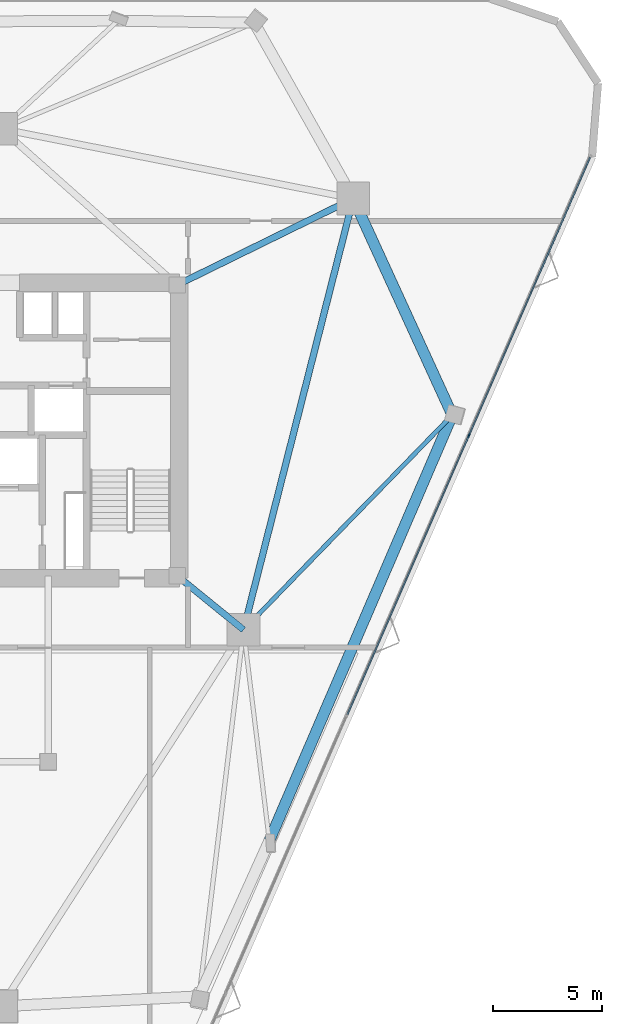
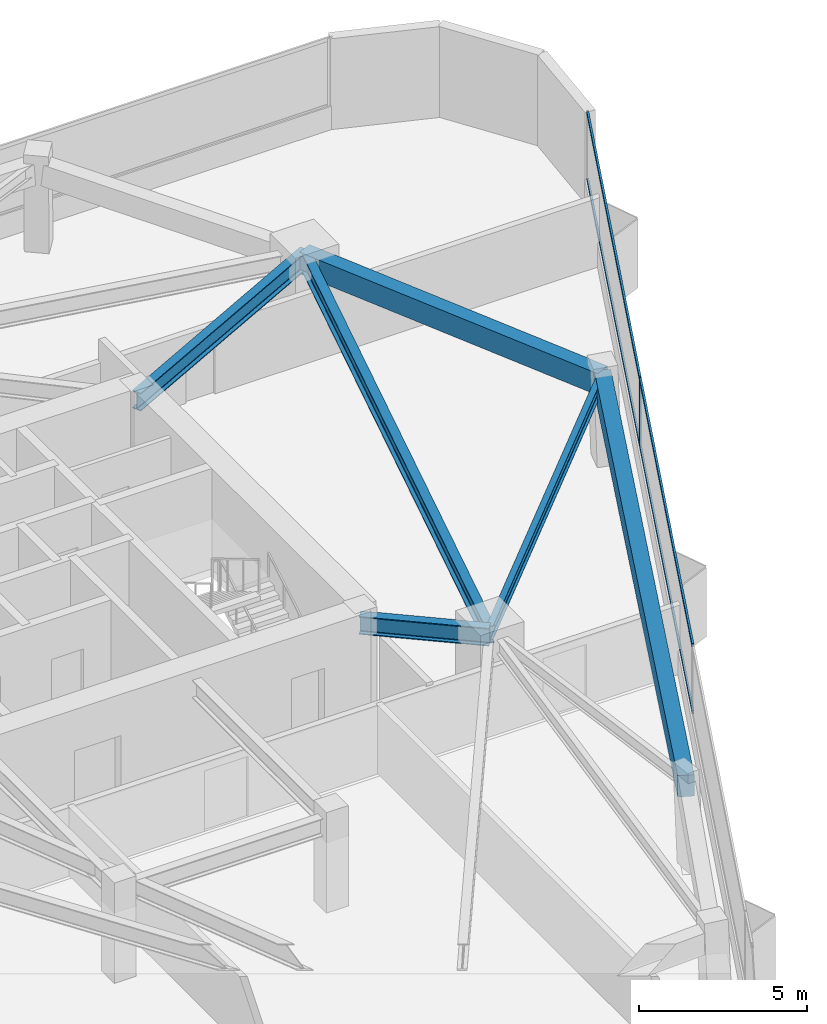
# One storey, part 7 of 13: 6 beams, 5 members, 1 element without a shape of its own.
"""IFC4 building model written with IfcOpenShell, lengths in metres."""

from ifc_helpers import new_model, si_unit, direction, frame, origin, origin_2d, place, context, subcontext, project, spatial, rectangle, i_section, extrude, material, layer, layer_set, material_profile, profile_set, type_object, element, aggregate, save


model = new_model("IFC4")

# Units and contexts
model_context = context("Model", 3, precision=1e-05, world=origin(), true_north=direction((0.0, 1.0)))
body_context = subcontext(model_context, "Body", "Model", "MODEL_VIEW")
ifc_project = project(units=[si_unit("LENGTHUNIT", "METRE"), si_unit("AREAUNIT", "SQUARE_METRE"), si_unit("VOLUMEUNIT", "CUBIC_METRE"), si_unit("PLANEANGLEUNIT", "RADIAN"), si_unit("MASSUNIT", "GRAM", prefix="KILO")], contexts=[model_context])

# Site, building, storey
site_placement = place(None, origin())
site = spatial("IfcSite", under=ifc_project, at=site_placement, CompositionType="ELEMENT")
building_placement = place(site_placement, origin())
building = spatial("IfcBuilding", under=site, at=building_placement, Name="Talyreon Biosciences Tower", CompositionType="ELEMENT")
storey_placement = place(building_placement, frame((0.0, 0.0, 167.35009765625)))
storey = spatial("IfcBuildingStorey", under=building, at=storey_placement, Name="L44", CompositionType="ELEMENT", Elevation=167.35009765625)

# Curtain wall, members
ifc_material_1 = material(Name="Thermally broken aluminium and low-E glazing", Category="aluminium")
ifc_layer = layer(ifc_material_1, 0.18505859375)
ifc_layer_set = layer_set([ifc_layer], Name="Thermally broken aluminium and low-E glazing")
curtain_wall_type = type_object("IfcCurtainWallType", Name="CurtainWall_Zone3Bioprocess", PredefinedType="NOTDEFINED", material=ifc_layer_set)
curtain_wall_placement = place(storey_placement, origin())
curtain_wall = element("IfcCurtainWall", 1, at=curtain_wall_placement, inside=storey, type_object=curtain_wall_type, Name="L44 Unitised Curtain Wall FCW-L44-08", PredefinedType="NOTDEFINED")
ifc_material_2 = material(Name="Anodised thermally broken aluminium", Category="aluminium")
ifc_material_profile_1 = material_profile(ifc_material_2, rectangle(XDim=0.06494140625, YDim=0.179931640625, at=origin_2d()), Name="ALUM MULLION 65x180")
ifc_profile_set_1 = profile_set([ifc_material_profile_1], Name="Anodised thermally broken aluminium")
member_type_1 = type_object("IfcMemberType", Name="CWMullion_65x180", PredefinedType="MULLION", material=ifc_profile_set_1)
member_1_placement = place(storey_placement, frame((87.390380859375, 67.762939453125, 0.809814453125), z_axis=(0.0, 0.0, 1.0), x_axis=(0.916820215501, -0.399300253505, 0.0)))
member_1 = element("IfcMember", 2, at=member_1_placement, type_object=member_type_1, Name="CW4 mullion 2", PredefinedType="MULLION", context=body_context, shape_type="SweptSolid", body=[
    extrude(rectangle(XDim=0.06494140625, YDim=0.179931640625, at=origin_2d()), origin(), (0.0, 0.0, 1.0), 2.489990234375),
])
ifc_material_profile_2 = material_profile(ifc_material_2, rectangle(XDim=0.06494140625, YDim=0.139892578125, at=origin_2d()), Name="ALUM TRANSOM 65x140")
ifc_profile_set_2 = profile_set([ifc_material_profile_2], Name="Anodised thermally broken aluminium")
member_type_2 = type_object("IfcMemberType", Name="CWTransom_65x140", PredefinedType="USERDEFINED", material=ifc_profile_set_2)
member_2_placement = place(storey_placement, frame((92.9296875, 80.481689453125, 0.84228515625), z_axis=(-0.399298814497, -0.916820842227, 0.0), x_axis=(0.916820842227, -0.399298814497, 0.0)))
member_2 = element("IfcMember", 3, at=member_2_placement, type_object=member_type_2, Name="CW4 transom 1.1", ObjectType="TRANSOM", PredefinedType="USERDEFINED", context=body_context, shape_type="SweptSolid", body=[
    extrude(rectangle(XDim=0.06494140625, YDim=0.139892578125, at=origin_2d()), origin(), (0.0, 0.0, 1.0), 13.840087890625),
])
member_3_placement = place(storey_placement, frame((92.9296875, 80.481689453125, 3.267333984375), z_axis=(-0.399298814497, -0.916820842227, 0.0), x_axis=(0.916820842227, -0.399298814497, 0.0)))
member_3 = element("IfcMember", 4, at=member_3_placement, type_object=member_type_2, Name="CW4 transom 1.2", ObjectType="TRANSOM", PredefinedType="USERDEFINED", context=body_context, shape_type="SweptSolid", body=[
    extrude(rectangle(XDim=0.06494140625, YDim=0.139892578125, at=origin_2d()), origin(), (0.0, 0.0, 1.0), 13.840087890625),
])
member_4_placement = place(storey_placement, frame((87.37744140625, 67.73291015625, 0.84228515625), z_axis=(-0.399311623344, -0.916815263541, 0.0), x_axis=(0.916815263541, -0.399311623344, 0.0)))
member_4 = element("IfcMember", 5, at=member_4_placement, type_object=member_type_2, Name="CW4 transom 2.1", ObjectType="TRANSOM", PredefinedType="USERDEFINED", context=body_context, shape_type="SweptSolid", body=[
    extrude(rectangle(XDim=0.06494140625, YDim=0.139892578125, at=origin_2d()), origin(), (0.0, 0.0, 1.0), 13.872802734375),
])
member_5_placement = place(storey_placement, frame((87.37744140625, 67.73291015625, 3.267333984375), z_axis=(-0.399311623344, -0.916815263541, 0.0), x_axis=(0.916815263541, -0.399311623344, 0.0)))
member_5 = element("IfcMember", 6, at=member_5_placement, type_object=member_type_2, Name="CW4 transom 2.2", ObjectType="TRANSOM", PredefinedType="USERDEFINED", context=body_context, shape_type="SweptSolid", body=[
    extrude(rectangle(XDim=0.06494140625, YDim=0.139892578125, at=origin_2d()), origin(), (0.0, 0.0, 1.0), 13.872802734375),
])
aggregate(curtain_wall, [member_1, member_2, member_3, member_4, member_5])

# Beams
ifc_material_3 = material(Name="Precast concrete C45/55", Category="concrete")
ifc_material_profile_3 = material_profile(ifc_material_3, rectangle(XDim=0.5, YDim=0.780029296875, at=origin_2d()), Name="RCB 500x780")
ifc_profile_set_3 = profile_set([ifc_material_profile_3], Name="Precast concrete C45/55")
beam_type_1 = type_object("IfcBeamType", Name="ExpressedSpandrel_500x780", PredefinedType="SPANDREL", material=ifc_profile_set_3)
beam_1_placement = place(storey_placement, frame((78.26416015625, 49.238037109375, 2.909912109375), z_axis=(0.394969104455, 0.91869440323, 0.0), x_axis=(-0.91869440323, 0.394969104455, 0.0)))
element("IfcBeam", 7, at=beam_1_placement, inside=storey, type_object=beam_type_1, Name="L44 Expressed Horizontal Concrete Spandrel 03", PredefinedType="SPANDREL", context=body_context, shape_type="SweptSolid", body=[
    extrude(rectangle(XDim=0.5, YDim=0.780029296875, at=origin_2d()), origin(), (0.0, 0.0, 1.0), 21.185546875),
])
beam_2_placement = place(storey_placement, frame((86.6318359375, 68.701171875, 2.909912109375), z_axis=(-0.41613872749, 0.909301137953, 0.0), x_axis=(-0.909301137953, -0.41613872749, 0.0)))
element("IfcBeam", 8, at=beam_2_placement, inside=storey, type_object=beam_type_1, Name="L44 Expressed Horizontal Concrete Spandrel 04", PredefinedType="SPANDREL", context=body_context, shape_type="SweptSolid", body=[
    extrude(rectangle(XDim=0.5, YDim=0.780029296875, at=origin_2d()), origin(), (0.0, 0.0, 1.0), 10.884765625),
])
ifc_material_4 = material(Name="Steel SM355", Category="steel")
ifc_material_profile_4 = material_profile(ifc_material_4, i_section(OverallWidth=0.300048828125, OverallDepth=0.64990234375, WebThickness=0.01611328125, FlangeThickness=0.031005859375, FilletRadius=0.027099609375, at=origin_2d()), Name="HE650B")
ifc_profile_set_4 = profile_set([ifc_material_profile_4], Name="Steel SM355")
beam_type_2 = type_object("IfcBeamType", Name="SteelBeam_HE650B", PredefinedType="BEAM", material=ifc_profile_set_4)
beam_3_placement = place(storey_placement, frame((77.086181640625, 58.88037109375, 2.974853515625), z_axis=(0.246537082299, 0.969133358755, 0.0), x_axis=(-0.969133358755, 0.246537082299, 0.0)))
element("IfcBeam", 9, at=beam_3_placement, inside=storey, type_object=beam_type_2, Name="L44 Mega-Ring Girder 2", PredefinedType="BEAM", context=body_context, shape_type="SweptSolid", body=[
    extrude(i_section(OverallWidth=0.300048828125, OverallDepth=0.64990234375, WebThickness=0.01611328125, FlangeThickness=0.031005859375, FilletRadius=0.027099609375, at=origin_2d()), origin(), (0.0, 0.0, 1.0), 20.34619140625),
])
beam_4_placement = place(storey_placement, frame((74.050048828125, 61.35009765625, 2.974853515625), z_axis=(0.775755154013, -0.631034025249, 0.0), x_axis=(0.631034025249, 0.775755154013, 0.0)))
element("IfcBeam", 10, at=beam_4_placement, inside=storey, type_object=beam_type_2, Name="L44 Radial Primary Girder 2", PredefinedType="BEAM", context=body_context, shape_type="SweptSolid", body=[
    extrude(i_section(OverallWidth=0.300048828125, OverallDepth=0.64990234375, WebThickness=0.01611328125, FlangeThickness=0.031005859375, FilletRadius=0.027099609375, at=origin_2d()), origin(), (0.0, 0.0, 1.0), 3.913818359375),
])
beam_5_placement = place(storey_placement, frame((74.050048828125, 74.64990234375, 2.974853515625), z_axis=(0.897852360314, 0.440296648952, 0.0), x_axis=(-0.440296648952, 0.897852360314, 0.0)))
element("IfcBeam", 11, at=beam_5_placement, inside=storey, type_object=beam_type_2, Name="L44 Radial Primary Girder 3", PredefinedType="BEAM", context=body_context, shape_type="SweptSolid", body=[
    extrude(i_section(OverallWidth=0.300048828125, OverallDepth=0.64990234375, WebThickness=0.01611328125, FlangeThickness=0.031005859375, FilletRadius=0.027099609375, at=origin_2d()), origin(), (0.0, 0.0, 1.0), 8.96826171875),
])
ifc_material_profile_5 = material_profile(ifc_material_4, i_section(OverallWidth=0.199951171875, OverallDepth=0.5, WebThickness=0.01025390625, FlangeThickness=0.01611328125, FilletRadius=0.02099609375, at=origin_2d()), Name="IPE500")
ifc_profile_set_5 = profile_set([ifc_material_profile_5], Name="Steel SM355")
beam_type_3 = type_object("IfcBeamType", Name="SteelJoist_IPE500", PredefinedType="JOIST", material=ifc_profile_set_5)
beam_6_placement = place(storey_placement, frame((77.086181640625, 58.88037109375, 3.0498046875), z_axis=(0.696990310154, 0.717080544675, 0.0), x_axis=(-0.717080544675, 0.696990310154, 0.0)))
element("IfcBeam", 12, at=beam_6_placement, inside=storey, type_object=beam_type_3, Name="L44 Radial Composite Floor Joist PC-SE2", PredefinedType="JOIST", context=body_context, shape_type="SweptSolid", body=[
    extrude(i_section(OverallWidth=0.199951171875, OverallDepth=0.5, WebThickness=0.01025390625, FlangeThickness=0.01611328125, FilletRadius=0.02099609375, at=origin_2d()), origin(), (0.0, 0.0, 1.0), 13.695556640625),
])

save(model, "model.ifc")
